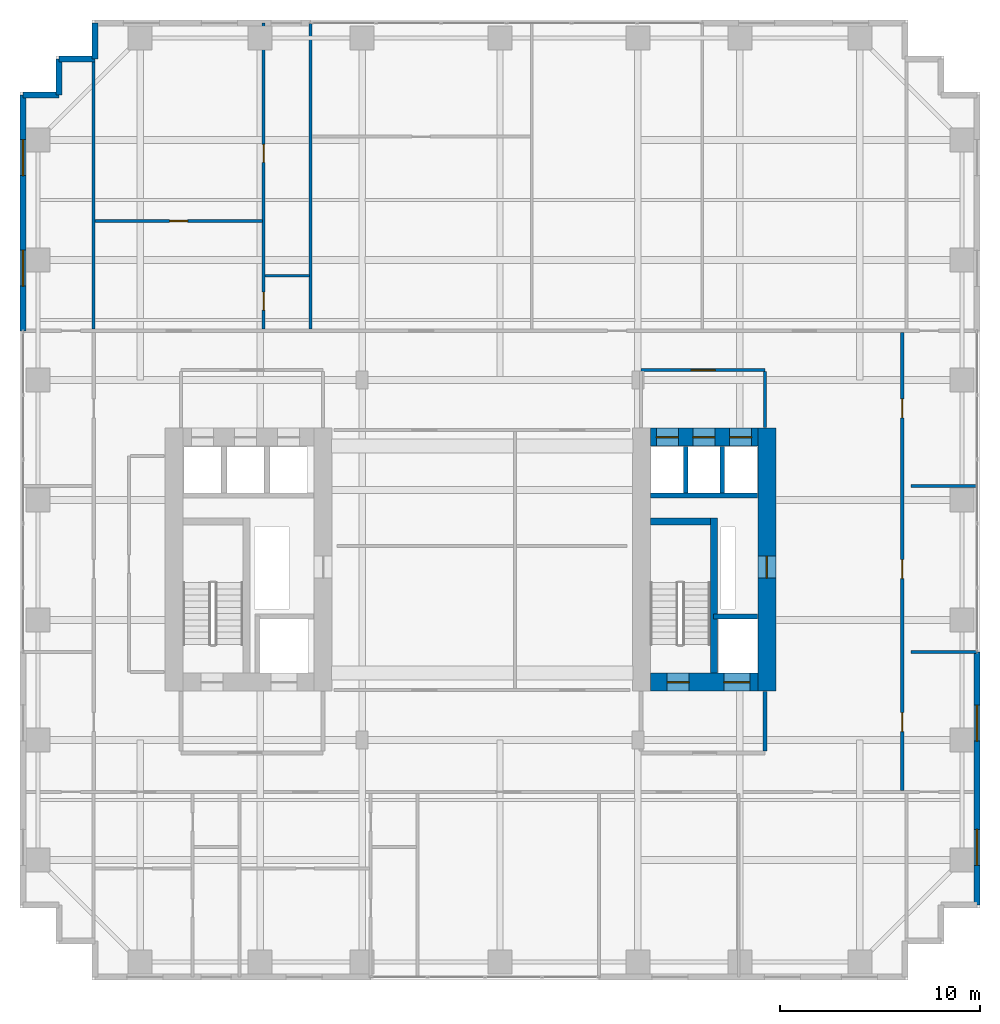
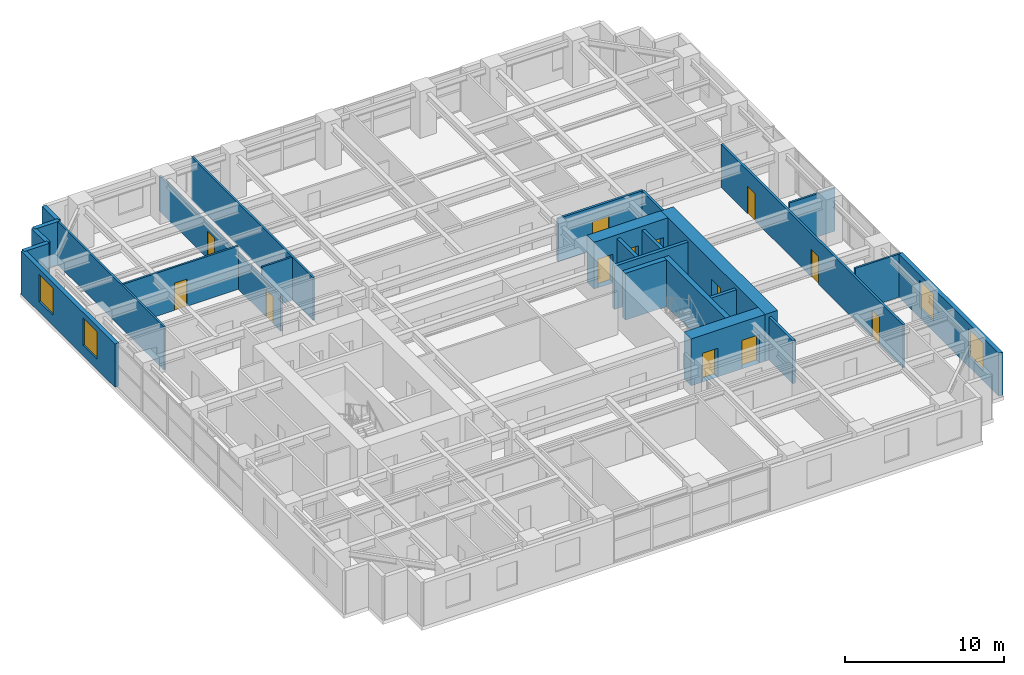
# One storey, part 22 of 24: 26 walls, 13 doors, 4 windows, 17 openings.
"""IFC4 building model written with IfcOpenShell, lengths in metres."""

import ifcopenshell
import ifcopenshell.guid

model = None  # the IFC model being written
_history = None  # IfcOwnerHistory: only IFC2X3 demands one
_inside = {}  # id of a spatial element -> (the spatial element, [elements in it])
_under = {}  # id of a project, library or spatial element -> (it, [spatial elements below it])
_declared = {}  # id of a project -> (the project, [libraries it declares])
_typed = {}  # id of a type object -> (the type object, [elements of that type])
_made_of = {}  # id of a material, layer set ... -> (it, [elements and type objects made of it])


def new_model(schema):
    """Start an empty IFC model of exactly this schema.

    Asked for "IFC4X3", IfcOpenShell would pick the latest addendum, in which some entities
    have other attributes; the version numbers below select the first issue.
    IFC2X3 requires an IfcOwnerHistory on every rooted entity: one is made here for all.
    """
    global model, _history
    if schema == "IFC4X3":
        model = ifcopenshell.file(schema_version=(4, 3, 0, 0))
    else:
        model = ifcopenshell.file(schema=schema)
    _inside.clear()
    _under.clear()
    _declared.clear()
    _typed.clear()
    _made_of.clear()
    _history = None
    if model.schema == "IFC2X3":
        org = make("IfcOrganization", Name="unknown")
        user = make(
            "IfcPersonAndOrganization",
            ThePerson=make("IfcPerson", FamilyName="unknown"),
            TheOrganization=org,
        )
        app = make(
            "IfcApplication",
            ApplicationDeveloper=org,
            Version="unknown",
            ApplicationFullName="unknown",
            ApplicationIdentifier="unknown",
        )
        _history = make(
            "IfcOwnerHistory",
            OwningUser=user,
            OwningApplication=app,
            ChangeAction="ADDED",
            CreationDate=0,
        )
    return model


def make(cls, **values):
    """One entity of the class cls with the attributes given. An attribute that is None is left unset."""
    return model.create_entity(
        cls, **{name: value for name, value in values.items() if value is not None}
    )


def rooted(cls, **values):
    """An entity with a GlobalId (a new one), such as an element, a storey or a relation."""
    return make(cls, GlobalId=ifcopenshell.guid.new(), OwnerHistory=_history, **values)


def si_unit(unit_type, name, prefix=None):
    """IfcSIUnit, for example si_unit("LENGTHUNIT", "METRE", prefix="MILLI")."""
    return make("IfcSIUnit", UnitType=unit_type, Prefix=prefix, Name=name)


def assignment(units):
    """IfcUnitAssignment: the units of a project."""
    return None if units is None else make("IfcUnitAssignment", Units=units)


def point(xyz):
    """IfcCartesianPoint."""
    return None if xyz is None else make("IfcCartesianPoint", Coordinates=xyz)


def direction(xyz):
    """IfcDirection."""
    return None if xyz is None else make("IfcDirection", DirectionRatios=xyz)


def frame(location, z_axis=None, x_axis=None):
    """IfcAxis2Placement3D, a coordinate frame: its origin and axes. An axis left out is left unset."""
    return make(
        "IfcAxis2Placement3D",
        Location=point(location),
        Axis=direction(z_axis),
        RefDirection=direction(x_axis),
    )


def frame_2d(location, x_axis=None):
    """IfcAxis2Placement2D, a coordinate frame in the plane: its origin and x axis."""
    return make(
        "IfcAxis2Placement2D", Location=point(location), RefDirection=direction(x_axis)
    )


def origin():
    """The frame at (0, 0, 0) with its axes left unset."""
    return frame((0.0, 0.0, 0.0))


def place(relative_to, where):
    """IfcLocalPlacement: puts the frame where relative to a parent placement (None: the world)."""
    return make(
        "IfcLocalPlacement", PlacementRelTo=relative_to, RelativePlacement=where
    )


def context(
    kind, dimensions, precision=None, world=None, true_north=None, identifier=None
):
    """IfcGeometricRepresentationContext, for example the 3D "Model" context."""
    return make(
        "IfcGeometricRepresentationContext",
        ContextIdentifier=identifier,
        ContextType=kind,
        CoordinateSpaceDimension=dimensions,
        Precision=precision,
        WorldCoordinateSystem=world,
        TrueNorth=true_north,
    )


def subcontext(parent, identifier, kind, view, scale=None):
    """IfcGeometricRepresentationSubContext, for example "Body" below "Model"."""
    return make(
        "IfcGeometricRepresentationSubContext",
        ContextIdentifier=identifier,
        ContextType=kind,
        ParentContext=parent,
        TargetScale=scale,
        TargetView=view,
    )


def project(units=None, contexts=None):
    """IfcProject with its units and contexts."""
    return rooted(
        "IfcProject",
        Name="project",
        RepresentationContexts=contexts,
        UnitsInContext=assignment(units),
    )


def spatial(cls, under=None, at=None, **own):
    """A site, building, storey or space (cls), placed at a placement, below another one or the project."""
    s = rooted(cls, ObjectPlacement=at, **own)
    if under is not None:
        _under.setdefault(under.id(), (under, []))[1].append(s)
    return s


def profile(cls, at=None, kind="AREA", **sizes):
    """A parametric profile (cls). Its sizes go by their IFC names, for example OverallWidth=200.0."""
    return make(cls, ProfileType=kind, Position=at, **sizes)


def rectangle(**sizes):
    """IfcRectangleProfileDef."""
    return profile("IfcRectangleProfileDef", **sizes)


def extrude(swept, where, along, depth):
    """IfcExtrudedAreaSolid: the profile swept, set in the frame where, extruded along a direction by depth."""
    return make(
        "IfcExtrudedAreaSolid",
        SweptArea=swept,
        Position=where,
        ExtrudedDirection=direction(along),
        Depth=depth,
    )


def shape(context_of_items, identifier, shape_type, items):
    """IfcShapeRepresentation: the items that make up one representation, for example the "Body"."""
    return make(
        "IfcShapeRepresentation",
        ContextOfItems=context_of_items,
        RepresentationIdentifier=identifier,
        RepresentationType=shape_type,
        Items=items,
    )


def source(mapping_origin, context_of_items, identifier, shape_type, items):
    """IfcRepresentationMap: a shape defined once, which mapped items show again and again."""
    return make(
        "IfcRepresentationMap",
        MappingOrigin=mapping_origin,
        MappedRepresentation=shape(context_of_items, identifier, shape_type, items),
    )


def transform(
    local_origin,
    x_axis=None,
    y_axis=None,
    z_axis=None,
    scale=None,
    scale2=None,
    scale3=None,
    uniform=True,
):
    """IfcCartesianTransformationOperator3D, or its non-uniform kind. x_axis, y_axis, z_axis: its Axis1, 2, 3."""
    if uniform:
        return make(
            "IfcCartesianTransformationOperator3D",
            Axis1=direction(x_axis),
            Axis2=direction(y_axis),
            LocalOrigin=point(local_origin),
            Scale=scale,
            Axis3=direction(z_axis),
        )
    return make(
        "IfcCartesianTransformationOperator3DnonUniform",
        Axis1=direction(x_axis),
        Axis2=direction(y_axis),
        LocalOrigin=point(local_origin),
        Scale=scale,
        Axis3=direction(z_axis),
        Scale2=scale2,
        Scale3=scale3,
    )


def mapped(mapping_source, mapping_target):
    """IfcMappedItem: shows the shape of a source again, moved by a transform."""
    return make(
        "IfcMappedItem", MappingSource=mapping_source, MappingTarget=mapping_target
    )


def material(Name=None, Category=None):
    """IfcMaterial."""
    return make("IfcMaterial", Name=Name, Category=Category)


def layer(
    of_material, thickness, ventilated=None, Name=None, Category=None, Priority=None
):
    """IfcMaterialLayer: one layer of a wall or slab, of a material (None: an air gap)."""
    return make(
        "IfcMaterialLayer",
        Material=of_material,
        LayerThickness=thickness,
        IsVentilated=ventilated,
        Name=Name,
        Category=Category,
        Priority=Priority,
    )


def layer_set(layers, Name=None):
    """IfcMaterialLayerSet."""
    return make("IfcMaterialLayerSet", MaterialLayers=layers, LayerSetName=Name)


def made_of(thing, what):
    """Note that an element or type object is made of a material, layer set ...; save() writes the relation."""
    if what is not None:
        _made_of.setdefault(what.id(), (what, []))[1].append(thing)
    return thing


def type_object(cls, material=None, **own):
    """A type object (cls), such as IfcWallType, which elements share."""
    return made_of(rooted(cls, **own), material)


def element(
    cls,
    number,
    at=None,
    inside=None,
    cuts=None,
    type_object=None,
    material=None,
    context=None,
    identifier="Body",
    shape_type=None,
    held_by="IfcProductDefinitionShape",
    body=None,
    shapes=None,
    **own,
):
    """One element of the class cls, such as IfcWall. Its Tag is "e" and its number.

    at: its placement. inside: the storey or other place that contains it. cuts: it is an
    opening in that element (IfcRelVoidsElement). A single representation is given by context,
    identifier, shape_type and body (its items); several are given by shapes. held_by: the class
    of the entity that holds the representations. save() writes the other relations.
    """
    e = rooted(cls, Tag="e%d" % number, ObjectPlacement=at, **own)
    if body is not None:
        shapes = [shape(context, identifier, shape_type, body)]
    if shapes is not None:
        e.Representation = make(held_by, Representations=shapes)
    if inside is not None:
        _inside.setdefault(inside.id(), (inside, []))[1].append(e)
    if cuts is not None:
        rooted(
            "IfcRelVoidsElement", RelatingBuildingElement=cuts, RelatedOpeningElement=e
        )
    if type_object is not None:
        _typed.setdefault(type_object.id(), (type_object, []))[1].append(e)
    return made_of(e, material)


def fill(opening, filler):
    """IfcRelFillsElement: the door or window that sits in an opening."""
    return rooted(
        "IfcRelFillsElement",
        RelatingOpeningElement=opening,
        RelatedBuildingElement=filler,
    )


def aggregate(whole, parts):
    """IfcRelAggregates: a whole, such as a stair, and the parts it consists of."""
    return rooted("IfcRelAggregates", RelatingObject=whole, RelatedObjects=parts)


def save(model, path):
    """Write the relations noted so far, then the file.

    IfcRelAggregates (storeys below a building ...), IfcRelContainedInSpatialStructure (elements
    in a storey), IfcRelDefinesByType, IfcRelAssociatesMaterial and IfcRelDeclares: one each for
    every whole, place, type object, material and project.
    """
    for whole, parts in _under.values():
        aggregate(whole, parts)
    for where, things in _inside.values():
        rooted(
            "IfcRelContainedInSpatialStructure",
            RelatedElements=things,
            RelatingStructure=where,
        )
    for kind, things in _typed.values():
        rooted("IfcRelDefinesByType", RelatedObjects=things, RelatingType=kind)
    for what, things in _made_of.values():
        rooted("IfcRelAssociatesMaterial", RelatedObjects=things, RelatingMaterial=what)
    for by, libraries in _declared.values():
        rooted("IfcRelDeclares", RelatingContext=by, RelatedDefinitions=libraries)
    model.write(path)


model = new_model("IFC4")

# Units and contexts
model_context = context("Model", 3, precision=1e-05, world=origin(), true_north=direction((0.0, 1.0)))
body_context = subcontext(model_context, "Body", "Model", "MODEL_VIEW")
ifc_project = project(units=[si_unit("LENGTHUNIT", "METRE"), si_unit("AREAUNIT", "SQUARE_METRE"), si_unit("VOLUMEUNIT", "CUBIC_METRE"), si_unit("PLANEANGLEUNIT", "RADIAN"), si_unit("MASSUNIT", "GRAM", prefix="KILO")], contexts=[model_context])

# Site, building, storey
site_placement = place(None, origin())
site = spatial("IfcSite", under=ifc_project, at=site_placement, CompositionType="ELEMENT")
building_placement = place(site_placement, origin())
building = spatial("IfcBuilding", under=site, at=building_placement, Name="Khoralis Quay Care Tower", CompositionType="ELEMENT")
storey_placement = place(building_placement, frame((0.0, 0.0, 62.10009765625)))
storey = spatial("IfcBuildingStorey", under=building, at=storey_placement, Name="L16", CompositionType="ELEMENT", Elevation=62.10009765625)

# Wall
ifc_material_1 = material(Name="Gypsum plasterboard on acoustic metal stud")
ifc_layer_1 = layer(ifc_material_1, 0.199951171875)
ifc_layer_set_1 = layer_set([ifc_layer_1], Name="Gypsum plasterboard on acoustic metal stud")
wall_type_1 = type_object("IfcWallType", Name="WL-COMP-200", PredefinedType="PARTITIONING", material=ifc_layer_set_1)
wall_1_placement = place(storey_placement, frame((37.25, 11.445068359375, 0.0), z_axis=(0.0, 0.0, 1.0), x_axis=(0.0, 1.0, 0.0)))
element("IfcWall", 1, at=wall_1_placement, inside=storey, type_object=wall_type_1, Name="L16 East Firefighting Lobby East Wall", PredefinedType="PARTITIONING", context=body_context, shape_type="SweptSolid", body=[
    extrude(rectangle(XDim=2.98486328125, YDim=0.199951171875, at=frame_2d((1.492431640625, 0.0))), origin(), (0.0, 0.0, 1.0), 3.31982421875),
])

# Wall, opening, door
ifc_material_2 = material(Name="Concrete C80/95", Category="concrete")
ifc_layer_2 = layer(ifc_material_2, 0.89990234375)
ifc_layer_set_2 = layer_set([ifc_layer_2], Name="Concrete C80/95")
wall_type_2 = type_object("IfcWallType", Name="WL-CORE-900", PredefinedType="SHEAR", material=ifc_layer_set_2)
wall_2_placement = place(storey_placement, frame((37.35009765625, 14.449951171875, 0.0), z_axis=(0.0, 0.0, 1.0), x_axis=(0.0, 1.0, 0.0)))
wall_2 = element("IfcWall", 2, at=wall_2_placement, inside=storey, type_object=wall_type_2, Name="L16 ECORE East Shear Wall", PredefinedType="SHEAR", context=body_context, shape_type="SweptSolid", body=[
    extrude(rectangle(XDim=13.150146484375, YDim=0.89990234375, at=frame_2d((6.5751953125, 0.0))), origin(), (0.0, 0.0, 1.0), 3.599853515625),
])
opening_1_placement = place(wall_2_placement, frame((5.64990234375, 0.0, 0.0)))
opening_1 = element("IfcOpeningElement", 3, at=opening_1_placement, cuts=wall_2, Name="Opening SD1", PredefinedType="OPENING", context=body_context, shape_type="SweptSolid", body=[
    extrude(rectangle(XDim=1.10009765625, YDim=2.199951171875, at=frame_2d((0.550048828125, 1.10009765625))), frame((0.0, 0.4599609375, 0.0), z_axis=(0.0, -1.0, 0.0), x_axis=(1.0, 0.0, 0.0)), (0.0, 0.0, 1.0), 0.919921875),
])
ifc_material_3 = material(Name="Fire-rated painted steel", Category="steel")
door_type_1 = type_object("IfcDoorType", Name="DR-STAIR-1100X2200", OperationType="NOTDEFINED", PredefinedType="DOOR", material=ifc_material_3)
shared_shape_1 = source(origin(), body_context, "Body", "SweptSolid", [
    extrude(rectangle(XDim=1.10009765625, YDim=2.199951171875, at=frame_2d((0.550048828125, 1.10009765625))), frame((0.0, 0.02490234375, 0.0), z_axis=(0.0, -1.0, 0.0), x_axis=(1.0, 0.0, 0.0)), (0.0, 0.0, 1.0), 0.050048828125),
])
door_1_placement = place(opening_1_placement, frame((1.10009765625, 0.0, 0.0), z_axis=(0.0, 0.0, 1.0), x_axis=(-1.0, 0.0, 0.0)))
door_1 = element("IfcDoor", 4, at=door_1_placement, inside=storey, type_object=door_type_1, Name="L16 East MEP Riser Door", OperationType="SINGLE_SWING_LEFT", OverallHeight=2.199951171875, OverallWidth=1.10009765625, PredefinedType="DOOR", context=body_context, shape_type="MappedRepresentation", body=[
    mapped(shared_shape_1, transform((0.0, 0.0, 0.0), scale=1.0)),
])
fill(opening_1, door_1)

# Wall, openings, doors
wall_3_placement = place(storey_placement, frame((31.52001953125, 14.89990234375, 0.0), z_axis=(0.0, 0.0, 1.0), x_axis=(1.0, 0.0, 0.0)))
wall_3 = element("IfcWall", 5, at=wall_3_placement, inside=storey, type_object=wall_type_2, Name="L16 ECORE South Shear Wall", PredefinedType="SHEAR", context=body_context, shape_type="SweptSolid", body=[
    extrude(rectangle(XDim=5.3798828125, YDim=0.89990234375, at=frame_2d((2.68994140625, 0.0))), origin(), (0.0, 0.0, 1.0), 3.599853515625),
])
opening_2_placement = place(wall_3_placement, frame((0.830078125, 0.0, 0.0)))
opening_2 = element("IfcOpeningElement", 6, at=opening_2_placement, cuts=wall_3, Name="Opening SD1", PredefinedType="OPENING", context=body_context, shape_type="SweptSolid", body=[
    extrude(rectangle(XDim=1.10009765625, YDim=2.199951171875, at=frame_2d((0.550048828125, 1.10009765625))), frame((0.0, 0.4599609375, 0.0), z_axis=(0.0, -1.0, 0.0), x_axis=(1.0, 0.0, 0.0)), (0.0, 0.0, 1.0), 0.919921875),
])
opening_3_placement = place(wall_3_placement, frame((3.679931640625, 0.0, 0.0)))
opening_3 = element("IfcOpeningElement", 7, at=opening_3_placement, cuts=wall_3, Name="Opening LD2", PredefinedType="OPENING", context=body_context, shape_type="SweptSolid", body=[
    extrude(rectangle(XDim=1.300048828125, YDim=2.199951171875, at=frame_2d((0.64990234375, 1.10009765625))), frame((0.0, 0.4599609375, 0.0), z_axis=(0.0, -1.0, 0.0), x_axis=(1.0, 0.0, 0.0)), (0.0, 0.0, 1.0), 0.919921875),
])
door_2_placement = place(opening_2_placement, origin())
door_2 = element("IfcDoor", 8, at=door_2_placement, inside=storey, type_object=door_type_1, Name="L16 Stair ST-T2 Fire Door", OperationType="SINGLE_SWING_LEFT", OverallHeight=2.199951171875, OverallWidth=1.10009765625, PredefinedType="DOOR", context=body_context, shape_type="MappedRepresentation", body=[
    mapped(shared_shape_1, transform((0.0, 0.0, 0.0), scale=1.0)),
])
fill(opening_2, door_2)
ifc_material_4 = material(Name="Brushed stainless steel", Category="steel")
door_type_2 = type_object("IfcDoorType", Name="DR-LIFT-1300X2200", OperationType="SLIDING_TO_RIGHT", PredefinedType="DOOR", material=ifc_material_4)
shared_shape_2 = source(origin(), body_context, "Body", "SweptSolid", [
    extrude(rectangle(XDim=1.300048828125, YDim=2.199951171875, at=frame_2d((0.64990234375, 1.10009765625))), frame((0.0, 0.02490234375, 0.0), z_axis=(0.0, -1.0, 0.0), x_axis=(1.0, 0.0, 0.0)), (0.0, 0.0, 1.0), 0.050048828125),
])
door_3_placement = place(opening_3_placement, origin())
door_3 = element("IfcDoor", 9, at=door_3_placement, inside=storey, type_object=door_type_2, Name="L16 Firefighting Lift FFL-2 Landing Door", OperationType="SLIDING_TO_RIGHT", OverallHeight=2.199951171875, OverallWidth=1.300048828125, PredefinedType="DOOR", context=body_context, shape_type="MappedRepresentation", body=[
    mapped(shared_shape_2, transform((0.0, 0.0, 0.0), scale=1.0)),
])
fill(opening_3, door_3)

wall_4_placement = place(storey_placement, frame((31.52001953125, 27.14990234375, 0.0), z_axis=(0.0, 0.0, 1.0), x_axis=(1.0, 0.0, 0.0)))
wall_4 = element("IfcWall", 10, at=wall_4_placement, inside=storey, type_object=wall_type_2, Name="L16 ECORE North Shear Wall", PredefinedType="SHEAR", context=body_context, shape_type="SweptSolid", body=[
    extrude(rectangle(XDim=5.3798828125, YDim=0.89990234375, at=frame_2d((2.68994140625, 0.0))), origin(), (0.0, 0.0, 1.0), 3.599853515625),
])
opening_4_placement = place(wall_4_placement, frame((0.300048828125, 0.0, 0.0)))
opening_4 = element("IfcOpeningElement", 11, at=opening_4_placement, cuts=wall_4, Name="Opening LD1", PredefinedType="OPENING", context=body_context, shape_type="SweptSolid", body=[
    extrude(rectangle(XDim=1.10009765625, YDim=2.199951171875, at=frame_2d((0.550048828125, 1.10009765625))), frame((0.0, 0.4599609375, 0.0), z_axis=(0.0, -1.0, 0.0), x_axis=(1.0, 0.0, 0.0)), (0.0, 0.0, 1.0), 0.919921875),
])
opening_5_placement = place(wall_4_placement, frame((2.1298828125, 0.0, 0.0)))
opening_5 = element("IfcOpeningElement", 12, at=opening_5_placement, cuts=wall_4, Name="Opening LD1", PredefinedType="OPENING", context=body_context, shape_type="SweptSolid", body=[
    extrude(rectangle(XDim=1.10009765625, YDim=2.199951171875, at=frame_2d((0.550048828125, 1.10009765625))), frame((0.0, 0.4599609375, 0.0), z_axis=(0.0, -1.0, 0.0), x_axis=(1.0, 0.0, 0.0)), (0.0, 0.0, 1.0), 0.919921875),
])
opening_6_placement = place(wall_4_placement, frame((3.9599609375, 0.0, 0.0)))
opening_6 = element("IfcOpeningElement", 13, at=opening_6_placement, cuts=wall_4, Name="Opening LD1", PredefinedType="OPENING", context=body_context, shape_type="SweptSolid", body=[
    extrude(rectangle(XDim=1.10009765625, YDim=2.199951171875, at=frame_2d((0.550048828125, 1.10009765625))), frame((0.0, 0.4599609375, 0.0), z_axis=(0.0, -1.0, 0.0), x_axis=(1.0, 0.0, 0.0)), (0.0, 0.0, 1.0), 0.919921875),
])
door_type_3 = type_object("IfcDoorType", Name="DR-LIFT-1100X2200", OperationType="SLIDING_TO_LEFT", PredefinedType="DOOR", material=ifc_material_4)
shared_shape_3 = source(origin(), body_context, "Body", "SweptSolid", [
    extrude(rectangle(XDim=1.10009765625, YDim=2.199951171875, at=frame_2d((0.550048828125, 1.10009765625))), frame((0.0, 0.02490234375, 0.0), z_axis=(0.0, -1.0, 0.0), x_axis=(1.0, 0.0, 0.0)), (0.0, 0.0, 1.0), 0.050048828125),
])
door_4_placement = place(opening_4_placement, origin())
door_4 = element("IfcDoor", 14, at=door_4_placement, inside=storey, type_object=door_type_3, Name="L16 Lift PLL2 Landing Door", OperationType="SLIDING_TO_LEFT", OverallHeight=2.199951171875, OverallWidth=1.10009765625, PredefinedType="DOOR", context=body_context, shape_type="MappedRepresentation", body=[
    mapped(shared_shape_3, transform((0.0, 0.0, 0.0), scale=1.0)),
])
fill(opening_4, door_4)
door_5_placement = place(opening_5_placement, origin())
door_5 = element("IfcDoor", 15, at=door_5_placement, inside=storey, type_object=door_type_3, Name="L16 Lift PLM2 Landing Door", OperationType="SLIDING_TO_LEFT", OverallHeight=2.199951171875, OverallWidth=1.10009765625, PredefinedType="DOOR", context=body_context, shape_type="MappedRepresentation", body=[
    mapped(shared_shape_3, transform((0.0, 0.0, 0.0), scale=1.0)),
])
fill(opening_5, door_5)
door_6_placement = place(opening_6_placement, origin())
door_6 = element("IfcDoor", 16, at=door_6_placement, inside=storey, type_object=door_type_3, Name="L16 Lift PLH2 Landing Door", OperationType="SLIDING_TO_LEFT", OverallHeight=2.199951171875, OverallWidth=1.10009765625, PredefinedType="DOOR", context=body_context, shape_type="MappedRepresentation", body=[
    mapped(shared_shape_3, transform((0.0, 0.0, 0.0), scale=1.0)),
])
fill(opening_6, door_6)

# Wall, opening, door
ifc_layer_3 = layer(ifc_material_1, 0.1650390625)
ifc_layer_set_3 = layer_set([ifc_layer_3], Name="Gypsum plasterboard on acoustic metal stud")
wall_type_3 = type_object("IfcWallType", Name="WL-CORR-165", PredefinedType="PARTITIONING", material=ifc_layer_set_3)
wall_5_placement = place(storey_placement, frame((31.050048828125, 30.5, 0.0), z_axis=(0.0, 0.0, 1.0), x_axis=(1.0, 0.0, 0.0)))
wall_5 = element("IfcWall", 17, at=wall_5_placement, inside=storey, type_object=wall_type_3, Name="L16 East Lift Lobby North Wall", PredefinedType="PARTITIONING", context=body_context, shape_type="SweptSolid", body=[
    extrude(rectangle(XDim=6.199951171875, YDim=0.1650390625, at=frame_2d((3.10009765625, 0.0))), origin(), (0.0, 0.0, 1.0), 3.31982421875),
])
opening_7_placement = place(wall_5_placement, frame((2.5, 0.0, 0.0)))
opening_7 = element("IfcOpeningElement", 18, at=opening_7_placement, cuts=wall_5, Name="Opening FD1", PredefinedType="OPENING", context=body_context, shape_type="SweptSolid", body=[
    extrude(rectangle(XDim=1.199951171875, YDim=2.199951171875, at=frame_2d((0.60009765625, 1.10009765625))), frame((0.0, 0.092529296875, 0.0), z_axis=(0.0, -1.0, 0.0), x_axis=(1.0, 0.0, 0.0)), (0.0, 0.0, 1.0), 0.18505859375),
])
door_type_4 = type_object("IfcDoorType", Name="DR-FFL-1200X2200", OperationType="NOTDEFINED", PredefinedType="DOOR", material=ifc_material_3)
shared_shape_4 = source(origin(), body_context, "Body", "SweptSolid", [
    extrude(rectangle(XDim=1.199951171875, YDim=2.199951171875, at=frame_2d((0.60009765625, 1.10009765625))), frame((0.0, 0.02490234375, 0.0), z_axis=(0.0, -1.0, 0.0), x_axis=(1.0, 0.0, 0.0)), (0.0, 0.0, 1.0), 0.050048828125),
])
door_7_placement = place(opening_7_placement, origin())
door_7 = element("IfcDoor", 19, at=door_7_placement, inside=storey, type_object=door_type_4, Name="L16 East Lift Lobby Double Door", OperationType="DOUBLE_DOOR_SINGLE_SWING", OverallHeight=2.199951171875, OverallWidth=1.199951171875, PredefinedType="DOOR", context=body_context, shape_type="MappedRepresentation", body=[
    mapped(shared_shape_4, transform((0.0, 0.0, 0.0), scale=1.0)),
])
fill(opening_7, door_7)

# Wall
wall_6_placement = place(storey_placement, frame((37.25, 27.6201171875, 0.0), z_axis=(0.0, 0.0, 1.0), x_axis=(0.0, 1.0, 0.0)))
element("IfcWall", 20, at=wall_6_placement, inside=storey, type_object=wall_type_3, Name="L16 East Lift Lobby East Wall", PredefinedType="PARTITIONING", context=body_context, shape_type="SweptSolid", body=[
    extrude(rectangle(XDim=2.802490234375, YDim=0.1650390625, at=frame_2d((1.4013671875, 0.0))), origin(), (0.0, 0.0, 1.0), 3.31982421875),
])

# Wall, openings, doors
wall_7_placement = place(storey_placement, frame((44.1201171875, 9.4775390625, 0.0), z_axis=(0.0, 0.0, 1.0), x_axis=(0.0, 1.0, 0.0)))
wall_7 = element("IfcWall", 21, at=wall_7_placement, inside=storey, type_object=wall_type_3, Name="L16 East Loop Corridor Wall", PredefinedType="PARTITIONING", context=body_context, shape_type="SweptSolid", body=[
    extrude(rectangle(XDim=22.905029296875, YDim=0.1650390625, at=frame_2d((11.45263671875, 0.0))), origin(), (0.0, 0.0, 1.0), 3.31982421875),
])
opening_8_placement = place(wall_7_placement, frame((2.947509765625, 0.0, 0.0)))
opening_8 = element("IfcOpeningElement", 22, at=opening_8_placement, cuts=wall_7, Name="Opening ID1", PredefinedType="OPENING", context=body_context, shape_type="SweptSolid", body=[
    extrude(rectangle(XDim=0.949951171875, YDim=2.10009765625, at=frame_2d((0.47509765625, 1.050048828125))), frame((0.0, 0.092529296875, 0.0), z_axis=(0.0, -1.0, 0.0), x_axis=(1.0, 0.0, 0.0)), (0.0, 0.0, 1.0), 0.18505859375),
])
opening_9_placement = place(wall_7_placement, frame((10.597412109375, 0.0, 0.0)))
opening_9 = element("IfcOpeningElement", 23, at=opening_9_placement, cuts=wall_7, Name="Opening ID1", PredefinedType="OPENING", context=body_context, shape_type="SweptSolid", body=[
    extrude(rectangle(XDim=0.949951171875, YDim=2.10009765625, at=frame_2d((0.47509765625, 1.050048828125))), frame((0.0, 0.092529296875, 0.0), z_axis=(0.0, -1.0, 0.0), x_axis=(1.0, 0.0, 0.0)), (0.0, 0.0, 1.0), 0.18505859375),
])
opening_10_placement = place(wall_7_placement, frame((18.62744140625, 0.0, 0.0)))
opening_10 = element("IfcOpeningElement", 24, at=opening_10_placement, cuts=wall_7, Name="Opening ID1", PredefinedType="OPENING", context=body_context, shape_type="SweptSolid", body=[
    extrude(rectangle(XDim=0.949951171875, YDim=2.10009765625, at=frame_2d((0.47509765625, 1.050048828125))), frame((0.0, 0.092529296875, 0.0), z_axis=(0.0, -1.0, 0.0), x_axis=(1.0, 0.0, 0.0)), (0.0, 0.0, 1.0), 0.18505859375),
])
ifc_material_5 = material(Name="Acoustic hardwood timber", Category="wood")
door_type_5 = type_object("IfcDoorType", Name="DR-ROOM-950X2100", OperationType="NOTDEFINED", PredefinedType="DOOR", material=ifc_material_5)
shared_shape_5 = source(origin(), body_context, "Body", "SweptSolid", [
    extrude(rectangle(XDim=0.949951171875, YDim=2.10009765625, at=frame_2d((0.47509765625, 1.050048828125))), frame((0.0, 0.02490234375, 0.0), z_axis=(0.0, -1.0, 0.0), x_axis=(1.0, 0.0, 0.0)), (0.0, 0.0, 1.0), 0.050048828125),
])
door_8_placement = place(opening_8_placement, frame((0.949951171875, 0.0, 0.0), z_axis=(0.0, 0.0, 1.0), x_axis=(-1.0, 0.0, 0.0)))
door_8 = element("IfcDoor", 25, at=door_8_placement, inside=storey, type_object=door_type_5, Name="L16 Therapy Consultation Room Door", OperationType="SINGLE_SWING_LEFT", OverallHeight=2.10009765625, OverallWidth=0.949951171875, PredefinedType="DOOR", context=body_context, shape_type="MappedRepresentation", body=[
    mapped(shared_shape_5, transform((0.0, 0.0, 0.0), scale=1.0)),
])
fill(opening_8, door_8)
door_9_placement = place(opening_9_placement, frame((0.949951171875, 0.0, 0.0), z_axis=(0.0, 0.0, 1.0), x_axis=(-1.0, 0.0, 0.0)))
door_9 = element("IfcDoor", 26, at=door_9_placement, inside=storey, type_object=door_type_5, Name="L16 Assisted Activity Lounge Door", OperationType="SINGLE_SWING_RIGHT", OverallHeight=2.10009765625, OverallWidth=0.949951171875, PredefinedType="DOOR", context=body_context, shape_type="MappedRepresentation", body=[
    mapped(shared_shape_5, transform((0.0, 0.0, 0.0), scale=1.0)),
])
fill(opening_9, door_9)
door_10_placement = place(opening_10_placement, frame((0.949951171875, 0.0, 0.0), z_axis=(0.0, 0.0, 1.0), x_axis=(-1.0, 0.0, 0.0)))
door_10 = element("IfcDoor", 27, at=door_10_placement, inside=storey, type_object=door_type_5, Name="L16 Nurse Charting Office Door", OperationType="SINGLE_SWING_LEFT", OverallHeight=2.10009765625, OverallWidth=0.949951171875, PredefinedType="DOOR", context=body_context, shape_type="MappedRepresentation", body=[
    mapped(shared_shape_5, transform((0.0, 0.0, 0.0), scale=1.0)),
])
fill(opening_10, door_10)

# Wall, openings, windows
ifc_material_6 = material(Name="Precast concrete C45/55", Category="concrete")
ifc_layer_4 = layer(ifc_material_6, 0.300048828125)
ifc_layer_set_4 = layer_set([ifc_layer_4], Name="Precast concrete C45/55")
wall_type_4 = type_object("IfcWallType", Name="WL-EXT-REF-300", PredefinedType="SOLIDWALL", material=ifc_layer_set_4)
wall_8_placement = place(storey_placement, frame((47.85009765625, 3.75, 0.0), z_axis=(0.0, 0.0, 1.0), x_axis=(0.0, 1.0, 0.0)))
wall_8 = element("IfcWall", 28, at=wall_8_placement, inside=storey, type_object=wall_type_4, Name="L16 External Facade Wall WL-EXT-L16-P1-E5A", PredefinedType="SOLIDWALL", context=body_context, shape_type="SweptSolid", body=[
    extrude(rectangle(XDim=12.64990234375, YDim=0.300048828125, at=frame_2d((6.324951171875, 0.0))), origin(), (0.0, 0.0, 1.0), 3.31982421875),
])
opening_11_placement = place(wall_8_placement, frame((1.97509765625, 0.0, 0.800048828125)))
opening_11 = element("IfcOpeningElement", 29, at=opening_11_placement, cuts=wall_8, Name="Opening W2", PredefinedType="OPENING", context=body_context, shape_type="SweptSolid", body=[
    extrude(rectangle(XDim=1.800048828125, YDim=2.10009765625, at=frame_2d((0.89990234375, 1.050048828125))), frame((0.0, 0.16015625, 0.0), z_axis=(0.0, -1.0, 0.0), x_axis=(1.0, 0.0, 0.0)), (0.0, 0.0, 1.0), 0.320068359375),
])
opening_12_placement = place(wall_8_placement, frame((8.199951171875, 0.0, 0.800048828125)))
opening_12 = element("IfcOpeningElement", 30, at=opening_12_placement, cuts=wall_8, Name="Opening W2", PredefinedType="OPENING", context=body_context, shape_type="SweptSolid", body=[
    extrude(rectangle(XDim=1.800048828125, YDim=2.10009765625, at=frame_2d((0.89990234375, 1.050048828125))), frame((0.0, 0.16015625, 0.0), z_axis=(0.0, -1.0, 0.0), x_axis=(1.0, 0.0, 0.0)), (0.0, 0.0, 1.0), 0.320068359375),
])
ifc_material_7 = material(Name="Low-E solar-control double glazing", Category="glass")
window_type = type_object("IfcWindowType", Name="WN-POD-1800X2100", PartitioningType="SINGLE_PANEL", PredefinedType="WINDOW", material=ifc_material_7)
shared_shape_6 = source(origin(), body_context, "Body", "SweptSolid", [
    extrude(rectangle(XDim=1.800048828125, YDim=2.10009765625, at=frame_2d((0.89990234375, 1.050048828125))), frame((0.0, 0.030029296875, 0.0), z_axis=(0.0, -1.0, 0.0), x_axis=(1.0, 0.0, 0.0)), (0.0, 0.0, 1.0), 0.06005859375),
])
window_1_placement = place(opening_11_placement, origin())
window_1 = element("IfcWindow", 31, at=window_1_placement, inside=storey, type_object=window_type, Name="WN-L16-P1-E5A Facade Window 01", OverallHeight=2.10009765625, OverallWidth=1.800048828125, PartitioningType="SINGLE_PANEL", PredefinedType="WINDOW", context=body_context, shape_type="MappedRepresentation", body=[
    mapped(shared_shape_6, transform((0.0, 0.0, 0.0), scale=1.0)),
])
fill(opening_11, window_1)
window_2_placement = place(opening_12_placement, origin())
window_2 = element("IfcWindow", 32, at=window_2_placement, inside=storey, type_object=window_type, Name="WN-L16-P1-E5A Facade Window 02", OverallHeight=2.10009765625, OverallWidth=1.800048828125, PartitioningType="SINGLE_PANEL", PredefinedType="WINDOW", context=body_context, shape_type="MappedRepresentation", body=[
    mapped(shared_shape_6, transform((0.0, 0.0, 0.0), scale=1.0)),
])
fill(opening_12, window_2)

# Walls
for number, where, z_axis, x_axis, name in (
    (33, (3.75, 47.85009765625, 0.0), (0.0, 0.0, 1.0), (0.0, -1.0, 0.0), "L16 External Facade Wall WL-EXT-L16-P1-C11"),
    (34, (3.75, 46.050048828125, 0.0), (0.0, 0.0, 1.0), (-1.0, 0.0, 0.0), "L16 External Facade Wall WL-EXT-L16-P1-C12"),
    (35, (1.949951171875, 46.050048828125, 0.0), (0.0, 0.0, 1.0), (0.0, -1.0, 0.0), "L16 External Facade Wall WL-EXT-L16-P1-C13"),
    (36, (1.949951171875, 44.25, 0.0), (0.0, 0.0, 1.0), (-1.0, 0.0, 0.0), "L16 External Facade Wall WL-EXT-L16-P1-C14"),
):
    element("IfcWall", number, at=place(storey_placement, frame(where, z_axis=z_axis, x_axis=x_axis)), inside=storey, type_object=wall_type_4, Name=name, PredefinedType="SOLIDWALL", context=body_context, shape_type="SweptSolid", body=[
        extrude(rectangle(XDim=1.800048828125, YDim=0.300048828125, at=frame_2d((0.89990234375, 0.0))), origin(), (0.0, 0.0, 1.0), 3.31982421875),
    ])

# Wall, openings, windows
wall_9_placement = place(storey_placement, frame((0.14990234375, 44.25, 0.0), z_axis=(0.0, 0.0, 1.0), x_axis=(0.0, -1.0, 0.0)))
wall_9 = element("IfcWall", 37, at=wall_9_placement, inside=storey, type_object=wall_type_4, Name="L16 External Facade Wall WL-EXT-L16-P1-E15A", PredefinedType="SOLIDWALL", context=body_context, shape_type="SweptSolid", body=[
    extrude(rectangle(XDim=11.7900390625, YDim=0.300048828125, at=frame_2d((5.89501953125, 0.0))), origin(), (0.0, 0.0, 1.0), 3.31982421875),
])
opening_13_placement = place(wall_9_placement, frame((2.2275390625, 0.0, 0.800048828125)))
opening_13 = element("IfcOpeningElement", 38, at=opening_13_placement, cuts=wall_9, Name="Opening W2", PredefinedType="OPENING", context=body_context, shape_type="SweptSolid", body=[
    extrude(rectangle(XDim=1.800048828125, YDim=2.10009765625, at=frame_2d((0.89990234375, 1.050048828125))), frame((0.0, 0.16015625, 0.0), z_axis=(0.0, -1.0, 0.0), x_axis=(1.0, 0.0, 0.0)), (0.0, 0.0, 1.0), 0.320068359375),
])
opening_14_placement = place(wall_9_placement, frame((7.762451171875, 0.0, 0.800048828125)))
opening_14 = element("IfcOpeningElement", 39, at=opening_14_placement, cuts=wall_9, Name="Opening W2", PredefinedType="OPENING", context=body_context, shape_type="SweptSolid", body=[
    extrude(rectangle(XDim=1.800048828125, YDim=2.10009765625, at=frame_2d((0.89990234375, 1.050048828125))), frame((0.0, 0.16015625, 0.0), z_axis=(0.0, -1.0, 0.0), x_axis=(1.0, 0.0, 0.0)), (0.0, 0.0, 1.0), 0.320068359375),
])
window_3_placement = place(opening_13_placement, origin())
window_3 = element("IfcWindow", 40, at=window_3_placement, inside=storey, type_object=window_type, Name="WN-L16-P1-E15A Facade Window 01", OverallHeight=2.10009765625, OverallWidth=1.800048828125, PartitioningType="SINGLE_PANEL", PredefinedType="WINDOW", context=body_context, shape_type="MappedRepresentation", body=[
    mapped(shared_shape_6, transform((0.0, 0.0, 0.0), scale=1.0)),
])
fill(opening_13, window_3)
window_4_placement = place(opening_14_placement, origin())
window_4 = element("IfcWindow", 41, at=window_4_placement, inside=storey, type_object=window_type, Name="WN-L16-P1-E15A Facade Window 02", OverallHeight=2.10009765625, OverallWidth=1.800048828125, PartitioningType="SINGLE_PANEL", PredefinedType="WINDOW", context=body_context, shape_type="MappedRepresentation", body=[
    mapped(shared_shape_6, transform((0.0, 0.0, 0.0), scale=1.0)),
])
fill(opening_14, window_4)

# Wall, openings, doors
ifc_material_8 = material(Name="Moisture-resistant gypsum and ceramic tile")
ifc_layer_5 = layer(ifc_material_8, 0.280029296875)
ifc_layer_set_5 = layer_set([ifc_layer_5], Name="Moisture-resistant gypsum and ceramic tile")
wall_type_5 = type_object("IfcWallType", Name="WL-PLUMB-280", PredefinedType="PLUMBINGWALL", material=ifc_layer_set_5)
wall_10_placement = place(storey_placement, frame((12.179931640625, 32.53759765625, 0.0), z_axis=(0.0, 0.0, 1.0), x_axis=(0.0, 1.0, 0.0)))
wall_10 = element("IfcWall", 42, at=wall_10_placement, inside=storey, type_object=wall_type_5, Name="L16 Care Suite 0 En-Suite Wall V", PredefinedType="PLUMBINGWALL", context=body_context, shape_type="SweptSolid", body=[
    extrude(rectangle(XDim=15.3173828125, YDim=0.139892578125, at=frame_2d((7.65869140625, 0.0))), origin(), (0.0, 0.0, 1.0), 2.703857421875),
])
opening_15_placement = place(wall_10_placement, frame((0.96240234375, 0.0, 0.0)))
opening_15 = element("IfcOpeningElement", 43, at=opening_15_placement, cuts=wall_10, Name="Opening WD1", PredefinedType="OPENING", context=body_context, shape_type="SweptSolid", body=[
    extrude(rectangle(XDim=0.89990234375, YDim=2.10009765625, at=frame_2d((0.449951171875, 1.050048828125))), frame((0.0, 0.080078125, 0.0), z_axis=(0.0, -1.0, 0.0), x_axis=(1.0, 0.0, 0.0)), (0.0, 0.0, 1.0), 0.159912109375),
])
opening_16_placement = place(wall_10_placement, frame((8.342529296875, 0.0, 0.0)))
opening_16 = element("IfcOpeningElement", 44, at=opening_16_placement, cuts=wall_10, Name="Opening WD1", PredefinedType="OPENING", context=body_context, shape_type="SweptSolid", body=[
    extrude(rectangle(XDim=0.89990234375, YDim=2.10009765625, at=frame_2d((0.449951171875, 1.050048828125))), frame((0.0, 0.080078125, 0.0), z_axis=(0.0, -1.0, 0.0), x_axis=(1.0, 0.0, 0.0)), (0.0, 0.0, 1.0), 0.159912109375),
])
door_type_6 = type_object("IfcDoorType", Name="DR-BATH-900X2100", OperationType="NOTDEFINED", PredefinedType="DOOR", material=ifc_material_5)
shared_shape_7 = source(origin(), body_context, "Body", "SweptSolid", [
    extrude(rectangle(XDim=0.89990234375, YDim=2.10009765625, at=frame_2d((0.449951171875, 1.050048828125))), frame((0.0, 0.02490234375, 0.0), z_axis=(0.0, -1.0, 0.0), x_axis=(1.0, 0.0, 0.0)), (0.0, 0.0, 1.0), 0.050048828125),
])
door_11_placement = place(opening_15_placement, frame((0.89990234375, 0.0, 0.0), z_axis=(0.0, 0.0, 1.0), x_axis=(-1.0, 0.0, 0.0)))
door_11 = element("IfcDoor", 45, at=door_11_placement, inside=storey, type_object=door_type_6, Name="L16 Care CENS Door", OperationType="SINGLE_SWING_LEFT", OverallHeight=2.10009765625, OverallWidth=0.89990234375, PredefinedType="DOOR", context=body_context, shape_type="MappedRepresentation", body=[
    mapped(shared_shape_7, transform((0.0, 0.0, 0.0), scale=1.0)),
])
fill(opening_15, door_11)
door_12_placement = place(opening_16_placement, frame((0.89990234375, 0.0, 0.0), z_axis=(0.0, 0.0, 1.0), x_axis=(-1.0, 0.0, 0.0)))
door_12 = element("IfcDoor", 46, at=door_12_placement, inside=storey, type_object=door_type_6, Name="L16 Care CSIT Door", OperationType="SINGLE_SWING_RIGHT", OverallHeight=2.10009765625, OverallWidth=0.89990234375, PredefinedType="DOOR", context=body_context, shape_type="MappedRepresentation", body=[
    mapped(shared_shape_7, transform((0.0, 0.0, 0.0), scale=1.0)),
])
fill(opening_16, door_12)

# Walls
wall_11_placement = place(storey_placement, frame((12.2451171875, 35.2099609375, 0.0), z_axis=(0.0, 0.0, 1.0), x_axis=(1.0, 0.0, 0.0)))
element("IfcWall", 47, at=wall_11_placement, inside=storey, type_object=wall_type_5, Name="L16 Care Suite 0 En-Suite Wall H", PredefinedType="PLUMBINGWALL", context=body_context, shape_type="SweptSolid", body=[
    extrude(rectangle(XDim=2.219970703125, YDim=0.139892578125, at=frame_2d((1.10986328125, 0.0))), origin(), (0.0, 0.0, 1.0), 3.31982421875),
])
ifc_material_9 = material(Name="Concrete C40/50", Category="concrete")
ifc_layer_6 = layer(ifc_material_9, 0.35009765625)
ifc_layer_set_6 = layer_set([ifc_layer_6], Name="Concrete C40/50")
wall_type_6 = type_object("IfcWallType", Name="WL-SC-CORE-350", PredefinedType="SHEAR", material=ifc_layer_set_6)
wall_12_placement = place(storey_placement, frame((34.695068359375, 15.35009765625, 0.0), z_axis=(0.0, 0.0, 1.0), x_axis=(0.0, 1.0, 0.0)))
element("IfcWall", 48, at=wall_12_placement, inside=storey, type_object=wall_type_6, Name="L16 Stair ST-T2 Shear Baffle Wall East", PredefinedType="SHEAR", context=body_context, shape_type="SweptSolid", body=[
    extrude(rectangle(XDim=7.75, YDim=0.35009765625, at=frame_2d((3.875, 0.0))), origin(), (0.0, 0.0, 1.0), 3.599853515625),
])
wall_13_placement = place(storey_placement, frame((31.52001953125, 22.925048828125, 0.0), z_axis=(0.0, 0.0, 1.0), x_axis=(1.0, 0.0, 0.0)))
element("IfcWall", 49, at=wall_13_placement, inside=storey, type_object=wall_type_6, Name="L16 Stair ST-T2 Shear Baffle Wall North", PredefinedType="SHEAR", context=body_context, shape_type="SweptSolid", body=[
    extrude(rectangle(XDim=3.0, YDim=0.35009765625, at=frame_2d((1.5, 0.0))), origin(), (0.0, 0.0, 1.0), 3.599853515625),
])
ifc_layer_7 = layer(ifc_material_1, 0.239990234375)
ifc_layer_set_7 = layer_set([ifc_layer_7], Name="Gypsum plasterboard on acoustic metal stud")
wall_type_7 = type_object("IfcWallType", Name="WL-SHAFT-240", PredefinedType="PARTITIONING", material=ifc_layer_set_7)
wall_14_placement = place(storey_placement, frame((34.679931640625, 18.169921875, 0.0), z_axis=(0.0, 0.0, 1.0), x_axis=(1.0, 0.0, 0.0)))
element("IfcWall", 50, at=wall_14_placement, inside=storey, type_object=wall_type_7, Name="L16 FFL-2 Shaft Wall North", PredefinedType="PARTITIONING", context=body_context, shape_type="SweptSolid", body=[
    extrude(rectangle(XDim=2.199951171875, YDim=0.239990234375, at=frame_2d((1.10009765625, 0.0))), origin(), (0.0, 0.0, 1.0), 3.31982421875),
])
wall_15_placement = place(storey_placement, frame((31.52001953125, 24.22998046875, 0.0), z_axis=(0.0, 0.0, 1.0), x_axis=(1.0, 0.0, 0.0)))
element("IfcWall", 51, at=wall_15_placement, inside=storey, type_object=wall_type_7, Name="L16 East Passenger Shaft South Wall", PredefinedType="PARTITIONING", context=body_context, shape_type="SweptSolid", body=[
    extrude(rectangle(XDim=5.35986328125, YDim=0.239990234375, at=frame_2d((2.679931640625, 0.0))), origin(), (0.0, 0.0, 1.0), 3.31982421875),
])
for number, where, z_axis, x_axis, name in (
    (52, (33.2900390625, 24.344970703125, 0.0), (0.0, 0.0, 1.0), (0.0, 1.0, 0.0), "L16 East Shaft Divider 1"),
    (53, (35.110107421875, 24.344970703125, 0.0), (0.0, 0.0, 1.0), (0.0, 1.0, 0.0), "L16 East Shaft Divider 2"),
):
    element("IfcWall", number, at=place(storey_placement, frame(where, z_axis=z_axis, x_axis=x_axis)), inside=storey, type_object=wall_type_7, Name=name, PredefinedType="PARTITIONING", context=body_context, shape_type="SweptSolid", body=[
        extrude(rectangle(XDim=2.3349609375, YDim=0.239990234375, at=frame_2d((1.16748046875, 0.0))), origin(), (0.0, 0.0, 1.0), 3.31982421875),
    ])
ifc_layer_8 = layer(ifc_material_1, 0.139892578125)
ifc_layer_set_8 = layer_set([ifc_layer_8], Name="Gypsum plasterboard on acoustic metal stud")
wall_type_8 = type_object("IfcWallType", Name="WL-UNIT-140", PredefinedType="PARTITIONING", material=ifc_layer_set_8)
for number, where, z_axis, x_axis, name in (
    (54, (44.5400390625, 16.39990234375, 0.0), (0.0, 0.0, 1.0), (1.0, 0.0, 0.0), "L16 EE Divider 1"),
    (55, (44.5400390625, 24.699951171875, 0.0), (0.0, 0.0, 1.0), (1.0, 0.0, 0.0), "L16 EE Divider 2"),
):
    element("IfcWall", number, at=place(storey_placement, frame(where, z_axis=z_axis, x_axis=x_axis)), inside=storey, type_object=wall_type_8, Name=name, PredefinedType="PARTITIONING", context=body_context, shape_type="SweptSolid", body=[
        extrude(rectangle(XDim=3.31494140625, YDim=0.139892578125, at=frame_2d((1.657470703125, 0.0))), origin(), (0.0, 0.0, 1.0), 3.31982421875),
    ])
wall_16_placement = place(storey_placement, frame((3.679931640625, 32.53759765625, 0.0), z_axis=(0.0, 0.0, 1.0), x_axis=(0.0, 1.0, 0.0)))
element("IfcWall", 56, at=wall_16_placement, inside=storey, type_object=wall_type_8, Name="L16 NB Demising Wall 0", PredefinedType="PARTITIONING", context=body_context, shape_type="SweptSolid", body=[
    extrude(rectangle(XDim=13.517333984375, YDim=0.139892578125, at=frame_2d((6.7587890625, 0.0))), origin(), (0.0, 0.0, 1.0), 3.31982421875),
])
wall_17_placement = place(storey_placement, frame((14.530029296875, 32.53759765625, 0.0), z_axis=(0.0, 0.0, 1.0), x_axis=(0.0, 1.0, 0.0)))
element("IfcWall", 57, at=wall_17_placement, inside=storey, type_object=wall_type_8, Name="L16 NB Demising Wall 1", PredefinedType="PARTITIONING", context=body_context, shape_type="SweptSolid", body=[
    extrude(rectangle(XDim=15.3173828125, YDim=0.139892578125, at=frame_2d((7.65869140625, 0.0))), origin(), (0.0, 0.0, 1.0), 3.31982421875),
])

# Wall, opening, door
wall_18_placement = place(storey_placement, frame((3.7451171875, 37.949951171875, 0.0), z_axis=(0.0, 0.0, 1.0), x_axis=(1.0, 0.0, 0.0)))
wall_18 = element("IfcWall", 58, at=wall_18_placement, inside=storey, type_object=wall_type_8, Name="Skilled Care Bedroom L16-NB0 Sub-Partition", PredefinedType="PARTITIONING", context=body_context, shape_type="SweptSolid", body=[
    extrude(rectangle(XDim=8.369873046875, YDim=0.139892578125, at=frame_2d((4.18505859375, 0.0))), origin(), (0.0, 0.0, 1.0), 3.31982421875),
])
opening_17_placement = place(wall_18_placement, frame((3.735107421875, 0.0, 0.0)))
opening_17 = element("IfcOpeningElement", 59, at=opening_17_placement, cuts=wall_18, Name="Opening WD1", PredefinedType="OPENING", context=body_context, shape_type="SweptSolid", body=[
    extrude(rectangle(XDim=0.89990234375, YDim=2.10009765625, at=frame_2d((0.449951171875, 1.050048828125))), frame((0.0, 0.080078125, 0.0), z_axis=(0.0, -1.0, 0.0), x_axis=(1.0, 0.0, 0.0)), (0.0, 0.0, 1.0), 0.159912109375),
])
door_13_placement = place(opening_17_placement, frame((0.89990234375, 0.0, 0.0), z_axis=(0.0, 0.0, 1.0), x_axis=(-1.0, 0.0, 0.0)))
door_13 = element("IfcDoor", 60, at=door_13_placement, inside=storey, type_object=door_type_6, Name="Private Study & Reading Alcove ARE0 Door", OperationType="SINGLE_SWING_LEFT", OverallHeight=2.10009765625, OverallWidth=0.89990234375, PredefinedType="DOOR", context=body_context, shape_type="MappedRepresentation", body=[
    mapped(shared_shape_7, transform((0.0, 0.0, 0.0), scale=1.0)),
])
fill(opening_17, door_13)

save(model, "model.ifc")
